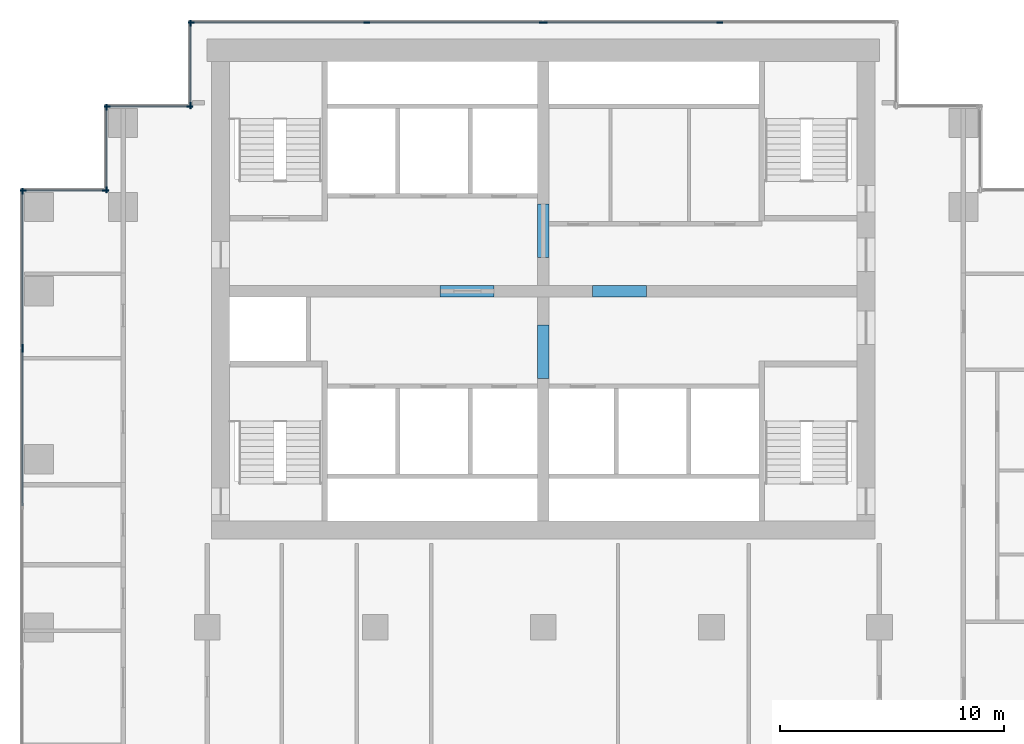
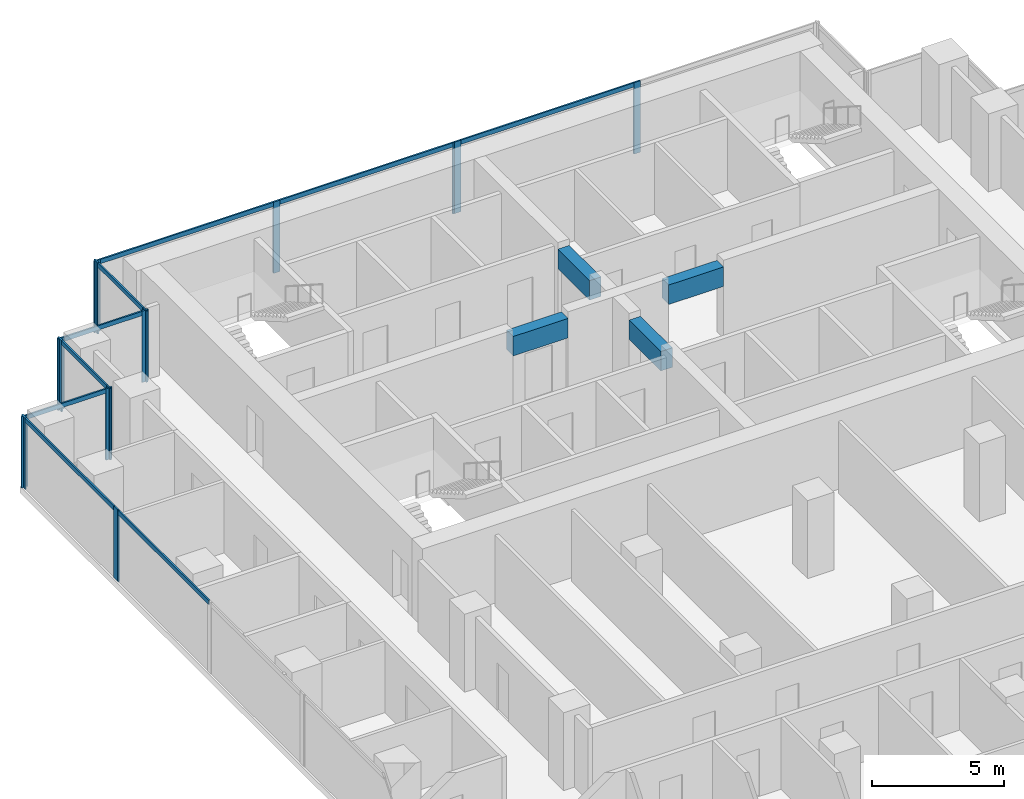
# One storey, part 4 of 11: 25 members, 4 beams, 8 elements without a shape of their own.
"""IFC4 building model written with IfcOpenShell, lengths in metres."""

from ifc_helpers import new_model, si_unit, direction, frame, origin, origin_2d, place, context, subcontext, project, spatial, rectangle, extrude, material, material_profile, profile_set, type_object, element, aggregate, save


model = new_model("IFC4")

# Units and contexts
model_context = context("Model", 3, precision=1e-05, world=origin(), true_north=direction((0.0, 1.0)))
body_context = subcontext(model_context, "Body", "Model", "MODEL_VIEW")
ifc_project = project(units=[si_unit("LENGTHUNIT", "METRE"), si_unit("AREAUNIT", "SQUARE_METRE"), si_unit("VOLUMEUNIT", "CUBIC_METRE"), si_unit("PLANEANGLEUNIT", "RADIAN"), si_unit("MASSUNIT", "GRAM", prefix="KILO")], contexts=[model_context])

# Site, building, storey
site_placement = place(None, origin())
site = spatial("IfcSite", under=ifc_project, at=site_placement, CompositionType="ELEMENT")
building_placement = place(site_placement, origin())
building = spatial("IfcBuilding", under=site, at=building_placement, Name="Pilkhan Gate Tower", CompositionType="ELEMENT")
storey_placement = place(building_placement, frame((0.0, 0.0, 125.199951171875)))
storey = spatial("IfcBuildingStorey", under=building, at=storey_placement, Name="L31", CompositionType="ELEMENT", Elevation=125.199951171875)

# Beams
ifc_material_1 = material(Name="Concrete C60/75", Category="concrete")
ifc_material_profile_1 = material_profile(ifc_material_1, rectangle(XDim=0.5, YDim=0.89990234375, at=origin_2d()), Name="RC 500x900")
ifc_profile_set_1 = profile_set([ifc_material_profile_1], Name="Concrete C60/75")
beam_type = type_object("IfcBeamType", Name="Coupling beam CB90 RC 500x900 C60/75", PredefinedType="LINTEL", material=ifc_profile_set_1)
for number, where, z_axis, x_axis, name in (
    (1, (70.39990234375, 82.5, 2.85009765625), (1.0, 0.0, 0.0), (0.0, 1.0, 0.0), "Coupling beam 1 L31"),
    (2, (77.199951171875, 82.5, 2.85009765625), (1.0, 0.0, 0.0), (0.0, 1.0, 0.0), "Coupling beam 2 L31"),
):
    element("IfcBeam", number, at=place(storey_placement, frame(where, z_axis=z_axis, x_axis=x_axis)), inside=storey, type_object=beam_type, Name=name, PredefinedType="LINTEL", context=body_context, shape_type="SweptSolid", body=[
        extrude(rectangle(XDim=0.5, YDim=0.89990234375, at=origin_2d()), origin(), (0.0, 0.0, 1.0), 2.400146484375),
    ])
for number, where, z_axis, x_axis, name in (
    (3, (75.0, 78.60009765625, 2.85009765625), (0.0, 1.0, 0.0), (-1.0, 0.0, 0.0), "Coupling beam 3 L31"),
    (4, (75.0, 84.0, 2.85009765625), (0.0, 1.0, 0.0), (-1.0, 0.0, 0.0), "Coupling beam 4 L31"),
):
    element("IfcBeam", number, at=place(storey_placement, frame(where, z_axis=z_axis, x_axis=x_axis)), inside=storey, type_object=beam_type, Name=name, PredefinedType="LINTEL", context=body_context, shape_type="SweptSolid", body=[
        extrude(rectangle(XDim=0.5, YDim=0.89990234375, at=origin_2d()), origin(), (0.0, 0.0, 1.0), 2.39990234375),
    ])

# Curtain wall, members
ifc_material_2 = material(Name="Pale anodised aluminium, clear low-iron double glazing", Category="aluminium")
curtain_wall_type = type_object("IfcCurtainWallType", Name="Office unitised curtain wall CW-O1", PredefinedType="USERDEFINED", material=ifc_material_2)
curtain_wall_1_placement = place(storey_placement, origin())
curtain_wall_1 = element("IfcCurtainWall", 5, at=curtain_wall_1_placement, inside=storey, type_object=curtain_wall_type, Name="Office unitised curtain wall CW-O1 L31 N", ObjectType="UNITISED CURTAIN WALL", PredefinedType="USERDEFINED")
ifc_material_3 = material(Name="Pale anodised aluminium", Category="aluminium")
ifc_material_profile_2 = material_profile(ifc_material_3, rectangle(XDim=0.070068359375, YDim=0.27490234375, at=origin_2d()), Name="Mullion 275x70")
ifc_profile_set_2 = profile_set([ifc_material_profile_2], Name="Pale anodised aluminium")
member_type_1 = type_object("IfcMemberType", Name="Mullion CW-O1 275x70", PredefinedType="MULLION", material=ifc_profile_set_2)
member_1_placement = place(storey_placement, frame((59.284912109375, 94.5, 0.0), z_axis=(0.0, 0.0, 1.0), x_axis=(0.0, 1.0, 0.0)))
member_1 = element("IfcMember", 6, at=member_1_placement, type_object=member_type_1, Name="CW-O1 mullion 1", PredefinedType="MULLION", context=body_context, shape_type="SweptSolid", body=[
    extrude(rectangle(XDim=0.070068359375, YDim=0.27490234375, at=origin_2d()), origin(), (0.0, 0.0, 1.0), 3.300048828125),
])
member_2_placement = place(storey_placement, frame((67.125, 94.5, 0.0), z_axis=(0.0, 0.0, 1.0), x_axis=(0.0, 1.0, 0.0)))
member_2 = element("IfcMember", 7, at=member_2_placement, type_object=member_type_1, Name="CW-O1 mullion 2", PredefinedType="MULLION", context=body_context, shape_type="SweptSolid", body=[
    extrude(rectangle(XDim=0.070068359375, YDim=0.27490234375, at=origin_2d()), origin(), (0.0, 0.0, 1.0), 3.300048828125),
])
member_3_placement = place(storey_placement, frame((74.965087890625, 94.5, 0.0), z_axis=(0.0, 0.0, 1.0), x_axis=(0.0, 1.0, 0.0)))
member_3 = element("IfcMember", 8, at=member_3_placement, type_object=member_type_1, Name="CW-O1 mullion 3", PredefinedType="MULLION", context=body_context, shape_type="SweptSolid", body=[
    extrude(rectangle(XDim=0.070068359375, YDim=0.27490234375, at=origin_2d()), origin(), (0.0, 0.0, 1.0), 3.300048828125),
])

curtain_wall_2_placement = place(storey_placement, origin())
curtain_wall_2 = element("IfcCurtainWall", 9, at=curtain_wall_2_placement, inside=storey, type_object=curtain_wall_type, Name="Office unitised curtain wall CW-O1 L31 N", ObjectType="UNITISED CURTAIN WALL", PredefinedType="USERDEFINED")
member_4_placement = place(storey_placement, frame((75.034912109375, 94.5, 0.0), z_axis=(0.0, 0.0, 1.0), x_axis=(0.0, 1.0, 0.0)))
member_4 = element("IfcMember", 10, at=member_4_placement, type_object=member_type_1, Name="CW-O1 mullion 1", PredefinedType="MULLION", context=body_context, shape_type="SweptSolid", body=[
    extrude(rectangle(XDim=0.070068359375, YDim=0.27490234375, at=origin_2d()), origin(), (0.0, 0.0, 1.0), 3.300048828125),
])
member_5_placement = place(storey_placement, frame((82.875, 94.5, 0.0), z_axis=(0.0, 0.0, 1.0), x_axis=(0.0, 1.0, 0.0)))
member_5 = element("IfcMember", 11, at=member_5_placement, type_object=member_type_1, Name="CW-O1 mullion 2", PredefinedType="MULLION", context=body_context, shape_type="SweptSolid", body=[
    extrude(rectangle(XDim=0.070068359375, YDim=0.27490234375, at=origin_2d()), origin(), (0.0, 0.0, 1.0), 3.300048828125),
])

curtain_wall_3_placement = place(storey_placement, origin())
curtain_wall_3 = element("IfcCurtainWall", 12, at=curtain_wall_3_placement, inside=storey, type_object=curtain_wall_type, Name="Office unitised curtain wall CW-O1 L31 W", ObjectType="UNITISED CURTAIN WALL", PredefinedType="USERDEFINED")
member_6_placement = place(storey_placement, frame((59.25, 90.784912109375, 0.0), z_axis=(0.0, 0.0, 1.0), x_axis=(-1.0, 0.0, 0.0)))
member_6 = element("IfcMember", 13, at=member_6_placement, type_object=member_type_1, Name="CW-O1 mullion 1", PredefinedType="MULLION", context=body_context, shape_type="SweptSolid", body=[
    extrude(rectangle(XDim=0.070068359375, YDim=0.27490234375, at=origin_2d()), origin(), (0.0, 0.0, 1.0), 3.300048828125),
])
member_7_placement = place(storey_placement, frame((59.25, 94.465087890625, 0.0), z_axis=(0.0, 0.0, 1.0), x_axis=(-1.0, 0.0, 0.0)))
member_7 = element("IfcMember", 14, at=member_7_placement, type_object=member_type_1, Name="CW-O1 mullion 2", PredefinedType="MULLION", context=body_context, shape_type="SweptSolid", body=[
    extrude(rectangle(XDim=0.070068359375, YDim=0.27490234375, at=origin_2d()), origin(), (0.0, 0.0, 1.0), 3.300048828125),
])

curtain_wall_4_placement = place(storey_placement, origin())
curtain_wall_4 = element("IfcCurtainWall", 15, at=curtain_wall_4_placement, inside=storey, type_object=curtain_wall_type, Name="Office unitised curtain wall CW-O1 L31 N", ObjectType="UNITISED CURTAIN WALL", PredefinedType="USERDEFINED")
member_8_placement = place(storey_placement, frame((55.534912109375, 90.75, 0.0), z_axis=(0.0, 0.0, 1.0), x_axis=(0.0, 1.0, 0.0)))
member_8 = element("IfcMember", 16, at=member_8_placement, type_object=member_type_1, Name="CW-O1 mullion 1", PredefinedType="MULLION", context=body_context, shape_type="SweptSolid", body=[
    extrude(rectangle(XDim=0.070068359375, YDim=0.27490234375, at=origin_2d()), origin(), (0.0, 0.0, 1.0), 3.300048828125),
])
member_9_placement = place(storey_placement, frame((59.215087890625, 90.75, 0.0), z_axis=(0.0, 0.0, 1.0), x_axis=(0.0, 1.0, 0.0)))
member_9 = element("IfcMember", 17, at=member_9_placement, type_object=member_type_1, Name="CW-O1 mullion 2", PredefinedType="MULLION", context=body_context, shape_type="SweptSolid", body=[
    extrude(rectangle(XDim=0.070068359375, YDim=0.27490234375, at=origin_2d()), origin(), (0.0, 0.0, 1.0), 3.300048828125),
])

curtain_wall_5_placement = place(storey_placement, origin())
curtain_wall_5 = element("IfcCurtainWall", 18, at=curtain_wall_5_placement, inside=storey, type_object=curtain_wall_type, Name="Office unitised curtain wall CW-O1 L31 W", ObjectType="UNITISED CURTAIN WALL", PredefinedType="USERDEFINED")
member_10_placement = place(storey_placement, frame((55.5, 87.034912109375, 0.0), z_axis=(0.0, 0.0, 1.0), x_axis=(-1.0, 0.0, 0.0)))
member_10 = element("IfcMember", 19, at=member_10_placement, type_object=member_type_1, Name="CW-O1 mullion 1", PredefinedType="MULLION", context=body_context, shape_type="SweptSolid", body=[
    extrude(rectangle(XDim=0.070068359375, YDim=0.27490234375, at=origin_2d()), origin(), (0.0, 0.0, 1.0), 3.300048828125),
])
member_11_placement = place(storey_placement, frame((55.5, 90.715087890625, 0.0), z_axis=(0.0, 0.0, 1.0), x_axis=(-1.0, 0.0, 0.0)))
member_11 = element("IfcMember", 20, at=member_11_placement, type_object=member_type_1, Name="CW-O1 mullion 2", PredefinedType="MULLION", context=body_context, shape_type="SweptSolid", body=[
    extrude(rectangle(XDim=0.070068359375, YDim=0.27490234375, at=origin_2d()), origin(), (0.0, 0.0, 1.0), 3.300048828125),
])

curtain_wall_6_placement = place(storey_placement, origin())
curtain_wall_6 = element("IfcCurtainWall", 21, at=curtain_wall_6_placement, inside=storey, type_object=curtain_wall_type, Name="Office unitised curtain wall CW-O1 L31 N", ObjectType="UNITISED CURTAIN WALL", PredefinedType="USERDEFINED")
member_12_placement = place(storey_placement, frame((51.784912109375, 87.0, 0.0), z_axis=(0.0, 0.0, 1.0), x_axis=(0.0, 1.0, 0.0)))
member_12 = element("IfcMember", 22, at=member_12_placement, type_object=member_type_1, Name="CW-O1 mullion 1", PredefinedType="MULLION", context=body_context, shape_type="SweptSolid", body=[
    extrude(rectangle(XDim=0.070068359375, YDim=0.27490234375, at=origin_2d()), origin(), (0.0, 0.0, 1.0), 3.300048828125),
])
member_13_placement = place(storey_placement, frame((55.465087890625, 87.0, 0.0), z_axis=(0.0, 0.0, 1.0), x_axis=(0.0, 1.0, 0.0)))
member_13 = element("IfcMember", 23, at=member_13_placement, type_object=member_type_1, Name="CW-O1 mullion 2", PredefinedType="MULLION", context=body_context, shape_type="SweptSolid", body=[
    extrude(rectangle(XDim=0.070068359375, YDim=0.27490234375, at=origin_2d()), origin(), (0.0, 0.0, 1.0), 3.300048828125),
])

# Curtain wall, member
curtain_wall_7_placement = place(storey_placement, origin())
curtain_wall_7 = element("IfcCurtainWall", 24, at=curtain_wall_7_placement, inside=storey, type_object=curtain_wall_type, Name="Office unitised curtain wall CW-O1 L31 W", ObjectType="UNITISED CURTAIN WALL", PredefinedType="USERDEFINED")
member_14_placement = place(storey_placement, frame((51.75, 79.9150390625, 0.0), z_axis=(0.0, 0.0, 1.0), x_axis=(-1.0, 0.0, 0.0)))
member_14 = element("IfcMember", 25, at=member_14_placement, type_object=member_type_1, Name="CW-O1 mullion 3", PredefinedType="MULLION", context=body_context, shape_type="SweptSolid", body=[
    extrude(rectangle(XDim=0.070068359375, YDim=0.27490234375, at=origin_2d()), origin(), (0.0, 0.0, 1.0), 3.300048828125),
])

# Curtain wall, members
curtain_wall_8_placement = place(storey_placement, origin())
curtain_wall_8 = element("IfcCurtainWall", 26, at=curtain_wall_8_placement, inside=storey, type_object=curtain_wall_type, Name="Office unitised curtain wall CW-O1 L31 W", ObjectType="UNITISED CURTAIN WALL", PredefinedType="USERDEFINED")
member_15_placement = place(storey_placement, frame((51.75, 79.985107421875, 0.0), z_axis=(0.0, 0.0, 1.0), x_axis=(-1.0, 0.0, 0.0)))
member_15 = element("IfcMember", 27, at=member_15_placement, type_object=member_type_1, Name="CW-O1 mullion 1", PredefinedType="MULLION", context=body_context, shape_type="SweptSolid", body=[
    extrude(rectangle(XDim=0.070068359375, YDim=0.27490234375, at=origin_2d()), origin(), (0.0, 0.0, 1.0), 3.300048828125),
])
member_16_placement = place(storey_placement, frame((51.75, 86.965087890625, 0.0), z_axis=(0.0, 0.0, 1.0), x_axis=(-1.0, 0.0, 0.0)))
member_16 = element("IfcMember", 28, at=member_16_placement, type_object=member_type_1, Name="CW-O1 mullion 2", PredefinedType="MULLION", context=body_context, shape_type="SweptSolid", body=[
    extrude(rectangle(XDim=0.070068359375, YDim=0.27490234375, at=origin_2d()), origin(), (0.0, 0.0, 1.0), 3.300048828125),
])

# Member
ifc_material_profile_3 = material_profile(ifc_material_3, rectangle(XDim=0.070068359375, YDim=0.199951171875, at=origin_2d()), Name="Transom 200x70")
ifc_profile_set_3 = profile_set([ifc_material_profile_3], Name="Pale anodised aluminium")
member_type_2 = type_object("IfcMemberType", Name="Transom CW-O1 200x70", PredefinedType="USERDEFINED", material=ifc_profile_set_3)
member_17_placement = place(storey_placement, frame((59.320068359375, 94.5, 3.199951171875), z_axis=(1.0, 0.0, 0.0), x_axis=(0.0, 1.0, 0.0)))
member_17 = element("IfcMember", 29, at=member_17_placement, type_object=member_type_2, Name="CW-O1 transom 1", ObjectType="TRANSOM", PredefinedType="USERDEFINED", context=body_context, shape_type="SweptSolid", body=[
    extrude(rectangle(XDim=0.070068359375, YDim=0.199951171875, at=origin_2d()), origin(), (0.0, 0.0, 1.0), 7.77001953125),
])

member_18_placement = place(storey_placement, frame((67.159912109375, 94.5, 3.199951171875), z_axis=(1.0, 0.0, 0.0), x_axis=(0.0, 1.0, 0.0)))
member_18 = element("IfcMember", 30, at=member_18_placement, type_object=member_type_2, Name="CW-O1 transom 2", ObjectType="TRANSOM", PredefinedType="USERDEFINED", context=body_context, shape_type="SweptSolid", body=[
    extrude(rectangle(XDim=0.070068359375, YDim=0.199951171875, at=origin_2d()), origin(), (0.0, 0.0, 1.0), 7.77001953125),
])

aggregate(curtain_wall_1, [member_1, member_2, member_3, member_17, member_18])

member_19_placement = place(storey_placement, frame((75.070068359375, 94.5, 3.199951171875), z_axis=(1.0, 0.0, 0.0), x_axis=(0.0, 1.0, 0.0)))
member_19 = element("IfcMember", 31, at=member_19_placement, type_object=member_type_2, Name="CW-O1 transom 1", ObjectType="TRANSOM", PredefinedType="USERDEFINED", context=body_context, shape_type="SweptSolid", body=[
    extrude(rectangle(XDim=0.070068359375, YDim=0.199951171875, at=origin_2d()), origin(), (0.0, 0.0, 1.0), 7.77001953125),
])

aggregate(curtain_wall_2, [member_4, member_5, member_19])

member_20_placement = place(storey_placement, frame((59.25, 90.820068359375, 3.199951171875), z_axis=(0.0, 1.0, 0.0), x_axis=(-1.0, 0.0, 0.0)))
member_20 = element("IfcMember", 32, at=member_20_placement, type_object=member_type_2, Name="CW-O1 transom 1", ObjectType="TRANSOM", PredefinedType="USERDEFINED", context=body_context, shape_type="SweptSolid", body=[
    extrude(rectangle(XDim=0.070068359375, YDim=0.199951171875, at=origin_2d()), origin(), (0.0, 0.0, 1.0), 3.60986328125),
])

aggregate(curtain_wall_3, [member_6, member_7, member_20])

member_21_placement = place(storey_placement, frame((55.570068359375, 90.75, 3.199951171875), z_axis=(1.0, 0.0, 0.0), x_axis=(0.0, 1.0, 0.0)))
member_21 = element("IfcMember", 33, at=member_21_placement, type_object=member_type_2, Name="CW-O1 transom 1", ObjectType="TRANSOM", PredefinedType="USERDEFINED", context=body_context, shape_type="SweptSolid", body=[
    extrude(rectangle(XDim=0.070068359375, YDim=0.199951171875, at=origin_2d()), origin(), (0.0, 0.0, 1.0), 3.60986328125),
])

aggregate(curtain_wall_4, [member_8, member_9, member_21])

member_22_placement = place(storey_placement, frame((55.5, 87.070068359375, 3.199951171875), z_axis=(0.0, 1.0, 0.0), x_axis=(-1.0, 0.0, 0.0)))
member_22 = element("IfcMember", 34, at=member_22_placement, type_object=member_type_2, Name="CW-O1 transom 1", ObjectType="TRANSOM", PredefinedType="USERDEFINED", context=body_context, shape_type="SweptSolid", body=[
    extrude(rectangle(XDim=0.070068359375, YDim=0.199951171875, at=origin_2d()), origin(), (0.0, 0.0, 1.0), 3.60986328125),
])

aggregate(curtain_wall_5, [member_10, member_11, member_22])

member_23_placement = place(storey_placement, frame((51.820068359375, 87.0, 3.199951171875), z_axis=(1.0, 0.0, 0.0), x_axis=(0.0, 1.0, 0.0)))
member_23 = element("IfcMember", 35, at=member_23_placement, type_object=member_type_2, Name="CW-O1 transom 1", ObjectType="TRANSOM", PredefinedType="USERDEFINED", context=body_context, shape_type="SweptSolid", body=[
    extrude(rectangle(XDim=0.070068359375, YDim=0.199951171875, at=origin_2d()), origin(), (0.0, 0.0, 1.0), 3.60986328125),
])

aggregate(curtain_wall_6, [member_12, member_13, member_23])

member_24_placement = place(storey_placement, frame((51.75, 72.93505859375, 3.199951171875), z_axis=(0.0, 1.0, 0.0), x_axis=(-1.0, 0.0, 0.0)))
member_24 = element("IfcMember", 36, at=member_24_placement, type_object=member_type_2, Name="CW-O1 transom 2", ObjectType="TRANSOM", PredefinedType="USERDEFINED", context=body_context, shape_type="SweptSolid", body=[
    extrude(rectangle(XDim=0.070068359375, YDim=0.199951171875, at=origin_2d()), origin(), (0.0, 0.0, 1.0), 6.94482421875),
])

aggregate(curtain_wall_7, [member_14, member_24])

member_25_placement = place(storey_placement, frame((51.75, 80.02001953125, 3.199951171875), z_axis=(0.0, 1.0, 0.0), x_axis=(-1.0, 0.0, 0.0)))
member_25 = element("IfcMember", 37, at=member_25_placement, type_object=member_type_2, Name="CW-O1 transom 1", ObjectType="TRANSOM", PredefinedType="USERDEFINED", context=body_context, shape_type="SweptSolid", body=[
    extrude(rectangle(XDim=0.070068359375, YDim=0.199951171875, at=origin_2d()), origin(), (0.0, 0.0, 1.0), 6.909912109375),
])

aggregate(curtain_wall_8, [member_15, member_16, member_25])

save(model, "model.ifc")
